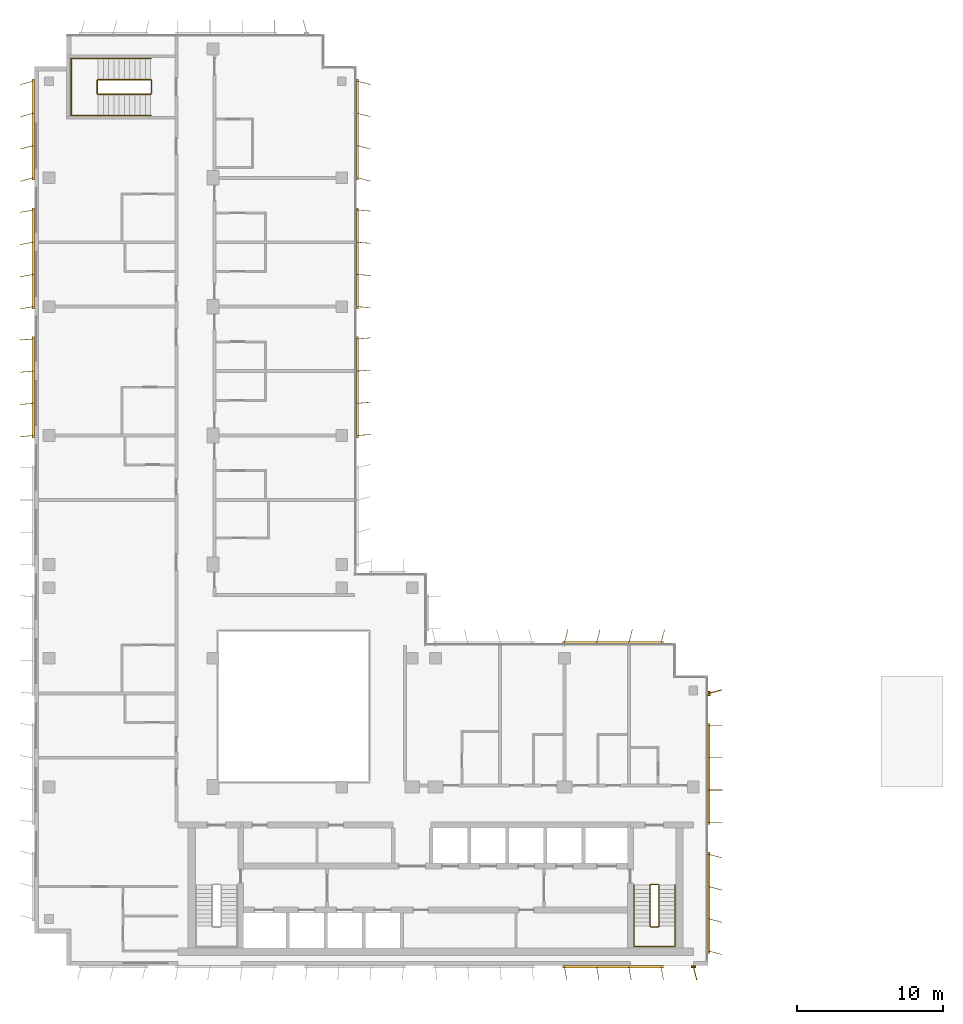
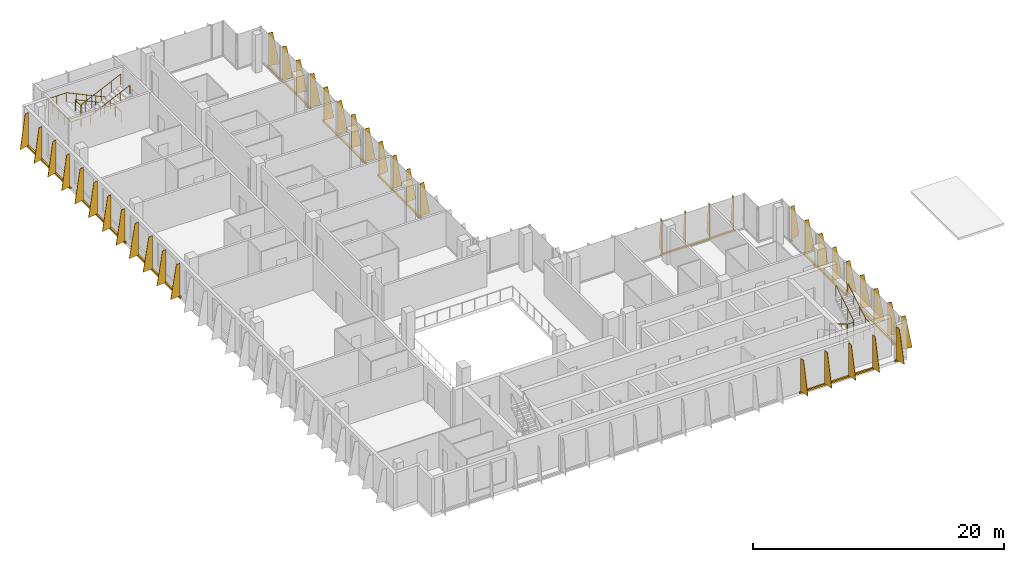
# One storey, part 16 of 17: 12 shading devices, 4 railings.
"""IFC4 building model written with IfcOpenShell, lengths in metres."""

from ifc_helpers import new_model, si_unit, direction, frame, origin, origin_2d, place, context, subcontext, project, spatial, polyline, rectangle, circle, outline, extrude, source, transform, mapped, material, layer, layer_set, type_object, element, save


model = new_model("IFC4")

# Units and contexts
model_context = context("Model", 3, precision=1e-05, world=origin(), true_north=direction((0.0, 1.0)))
body_context = subcontext(model_context, "Body", "Model", "MODEL_VIEW")
ifc_project = project(units=[si_unit("LENGTHUNIT", "METRE"), si_unit("AREAUNIT", "SQUARE_METRE"), si_unit("VOLUMEUNIT", "CUBIC_METRE"), si_unit("PLANEANGLEUNIT", "RADIAN"), si_unit("MASSUNIT", "GRAM", prefix="KILO")], contexts=[model_context])

# Site, building, storey
site_placement = place(None, origin())
site = spatial("IfcSite", under=ifc_project, at=site_placement, CompositionType="ELEMENT")
building_placement = place(site_placement, origin())
building = spatial("IfcBuilding", under=site, at=building_placement, Name="Kemantara Hotel Tower", CompositionType="ELEMENT")
storey_placement = place(building_placement, frame((0.0, 0.0, 226.5)))
storey = spatial("IfcBuildingStorey", under=building, at=storey_placement, Name="L56", CompositionType="ELEMENT", Elevation=226.5)

# Railings
ifc_material_1 = material(Name="Stainless steel balustrade", Category="steel")
railing_type_1 = type_object("IfcRailingType", Name="Stair guard 1100 mm", PredefinedType="GUARDRAIL", material=ifc_material_1)
railing_1_placement = place(storey_placement, frame((42.64990234375, 5.5, 3.699951171875)))
element("IfcRailing", 1, at=railing_1_placement, inside=storey, type_object=railing_type_1, Name="L56 ST2 stair guard 1", PredefinedType="GUARDRAIL", context=body_context, shape_type="SweptSolid", body=[
    extrude(circle(Radius=0.02392578125, at=origin_2d()), frame((0.0, 0.0, 1.076171875), z_axis=(0.0, -0.857242210791, -0.514913383045), x_axis=(1.0, 0.0, 0.0)), (0.0, 0.0, 1.0), 3.266357421875),
    extrude(circle(Radius=0.02392578125, at=origin_2d()), frame((0.0, -2.800048828125, -0.60595703125), z_axis=(-0.273343290215, -0.274683208305, -0.921863645432), x_axis=(0.708833529934, -0.705375805398, 0.0)), (0.0, 0.0, 1.0), 0.18212890625),
    extrude(circle(Radius=0.02392578125, at=origin_2d()), frame((-0.0498046875, -2.85009765625, -0.77392578125), z_axis=(-1.0, 0.0, 0.0), x_axis=(0.0, -1.0, 0.0)), (0.0, 0.0, 1.0), 0.5),
    extrude(circle(Radius=0.02392578125, at=origin_2d()), frame((-0.5498046875, -2.85009765625, -0.77392578125), z_axis=(-0.707106781187, 0.707106781187, 0.0), x_axis=(-0.707106781187, -0.707106781187, 0.0)), (0.0, 0.0, 1.0), 0.07080078125),
    extrude(circle(Radius=0.02392578125, at=origin_2d()), frame((-0.599853515625, -2.800048828125, -0.77392578125), z_axis=(0.0, 0.857242210791, -0.514913383045), x_axis=(-1.0, 0.0, 0.0)), (0.0, 0.0, 1.0), 3.266357421875),
    extrude(circle(Radius=0.02392578125, at=origin_2d()), frame((-0.599853515625, 0.0, -2.45556640625), z_axis=(0.274243871929, 0.274243871929, -0.92172696468), x_axis=(-0.707106781187, 0.707106781187, 0.0)), (0.0, 0.0, 1.0), 0.1826171875),
    extrude(circle(Radius=0.02392578125, at=origin_2d()), frame((-0.5498046875, 0.050048828125, -2.6240234375), z_axis=(1.0, 0.0, 0.0), x_axis=(0.0, 1.0, 0.0)), (0.0, 0.0, 1.0), 0.5),
    extrude(circle(Radius=0.02099609375, at=origin_2d()), origin(), (0.0, 0.0, 1.0), 1.052001953125),
    extrude(circle(Radius=0.02099609375, at=origin_2d()), frame((0.0, -0.933349609375, -0.560546875)), (0.0, 0.0, 1.0), 1.052001953125),
    extrude(circle(Radius=0.02099609375, at=origin_2d()), frame((0.0, -1.86669921875, -1.121337890625)), (0.0, 0.0, 1.0), 1.052001953125),
    extrude(circle(Radius=0.02099609375, at=origin_2d()), frame((0.0, -2.800048828125, -1.681884765625)), (0.0, 0.0, 1.0), 1.052001953125),
    extrude(circle(Radius=0.02099609375, at=origin_2d()), frame((-0.0498046875, -2.85009765625, -1.849853515625)), (0.0, 0.0, 1.0), 1.052001953125),
    extrude(circle(Radius=0.02099609375, at=origin_2d()), frame((-0.5498046875, -2.85009765625, -1.849853515625)), (0.0, 0.0, 1.0), 1.052001953125),
    extrude(circle(Radius=0.02099609375, at=origin_2d()), frame((-0.599853515625, -2.800048828125, -1.849853515625)), (0.0, 0.0, 1.0), 1.052001953125),
    extrude(circle(Radius=0.02099609375, at=origin_2d()), frame((-0.599853515625, -1.86669921875, -2.410400390625)), (0.0, 0.0, 1.0), 1.052001953125),
    extrude(circle(Radius=0.02099609375, at=origin_2d()), frame((-0.599853515625, -0.933349609375, -2.97119140625)), (0.0, 0.0, 1.0), 1.052001953125),
    extrude(circle(Radius=0.02099609375, at=origin_2d()), frame((-0.599853515625, 0.0, -3.53173828125)), (0.0, 0.0, 1.0), 1.052001953125),
    extrude(circle(Radius=0.02099609375, at=origin_2d()), frame((-0.5498046875, 0.050048828125, -3.699951171875)), (0.0, 0.0, 1.0), 1.052001953125),
    extrude(circle(Radius=0.02099609375, at=origin_2d()), frame((-0.0498046875, 0.050048828125, -3.699951171875)), (0.0, 0.0, 1.0), 1.052001953125),
])
railing_2_placement = place(storey_placement, frame((7.949951171875, 59.5, 3.699951171875)))
element("IfcRailing", 2, at=railing_2_placement, inside=storey, type_object=railing_type_1, Name="L56 ST4 stair guard 1", PredefinedType="GUARDRAIL", context=body_context, shape_type="SweptSolid", body=[
    extrude(circle(Radius=0.02392578125, at=origin_2d()), frame((0.0, 0.0, 1.076171875), z_axis=(-0.905994681025, 0.0, -0.423289071386), x_axis=(0.0, -1.0, 0.0)), (0.0, 0.0, 1.0), 3.973388671875),
    extrude(circle(Radius=0.02392578125, at=origin_2d()), frame((-3.599853515625, 0.0, -0.60595703125), z_axis=(-0.274582412415, 0.274582412415, -0.921525364591), x_axis=(-0.707106781187, -0.707106781187, 0.0)), (0.0, 0.0, 1.0), 0.182373046875),
    extrude(circle(Radius=0.02392578125, at=origin_2d()), frame((-3.64990234375, 0.050048828125, -0.77392578125), z_axis=(0.0, 1.0, 0.0), x_axis=(-1.0, 0.0, 0.0)), (0.0, 0.0, 1.0), 0.89990234375),
    extrude(circle(Radius=0.02392578125, at=origin_2d()), frame((-3.64990234375, 0.949951171875, -0.77392578125), z_axis=(0.707106781187, 0.707106781187, 0.0), x_axis=(-0.707106781187, 0.707106781187, 0.0)), (0.0, 0.0, 1.0), 0.07080078125),
    extrude(circle(Radius=0.02392578125, at=origin_2d()), frame((-3.599853515625, 1.0, -0.77392578125), z_axis=(0.905994681025, 0.0, -0.423289071386), x_axis=(0.0, 1.0, 0.0)), (0.0, 0.0, 1.0), 3.973388671875),
    extrude(circle(Radius=0.02392578125, at=origin_2d()), frame((0.0, 1.0, -2.45556640625), z_axis=(0.274243871929, -0.274243871929, -0.92172696468), x_axis=(0.707106781187, 0.707106781187, 0.0)), (0.0, 0.0, 1.0), 0.1826171875),
    extrude(circle(Radius=0.02392578125, at=origin_2d()), frame((0.050048828125, 0.949951171875, -2.6240234375), z_axis=(0.0, -1.0, 0.0), x_axis=(1.0, 0.0, 0.0)), (0.0, 0.0, 1.0), 0.89990234375),
    extrude(circle(Radius=0.02099609375, at=origin_2d()), origin(), (0.0, 0.0, 1.0), 1.052001953125),
    extrude(circle(Radius=0.02099609375, at=origin_2d()), frame((-0.89990234375, 0.0, -0.42041015625)), (0.0, 0.0, 1.0), 1.052001953125),
    extrude(circle(Radius=0.02099609375, at=origin_2d()), frame((-1.7998046875, 0.0, -0.8408203125)), (0.0, 0.0, 1.0), 1.052001953125),
    extrude(circle(Radius=0.02099609375, at=origin_2d()), frame((-2.699951171875, 0.0, -1.261474609375)), (0.0, 0.0, 1.0), 1.052001953125),
    extrude(circle(Radius=0.02099609375, at=origin_2d()), frame((-3.599853515625, 0.0, -1.681884765625)), (0.0, 0.0, 1.0), 1.052001953125),
    extrude(circle(Radius=0.02099609375, at=origin_2d()), frame((-3.64990234375, 0.050048828125, -1.849853515625)), (0.0, 0.0, 1.0), 1.052001953125),
    extrude(circle(Radius=0.02099609375, at=origin_2d()), frame((-3.64990234375, 0.949951171875, -1.849853515625)), (0.0, 0.0, 1.0), 1.052001953125),
    extrude(circle(Radius=0.02099609375, at=origin_2d()), frame((-3.599853515625, 1.0, -1.849853515625)), (0.0, 0.0, 1.0), 1.052001953125),
    extrude(circle(Radius=0.02099609375, at=origin_2d()), frame((-2.699951171875, 1.0, -2.270263671875)), (0.0, 0.0, 1.0), 1.052001953125),
    extrude(circle(Radius=0.02099609375, at=origin_2d()), frame((-1.7998046875, 1.0, -2.69091796875)), (0.0, 0.0, 1.0), 1.052001953125),
    extrude(circle(Radius=0.02099609375, at=origin_2d()), frame((-0.89990234375, 1.0, -3.111328125)), (0.0, 0.0, 1.0), 1.052001953125),
    extrude(circle(Radius=0.02099609375, at=origin_2d()), frame((0.0, 1.0, -3.53173828125)), (0.0, 0.0, 1.0), 1.052001953125),
    extrude(circle(Radius=0.02099609375, at=origin_2d()), frame((0.050048828125, 0.949951171875, -3.699951171875)), (0.0, 0.0, 1.0), 1.052001953125),
    extrude(circle(Radius=0.02099609375, at=origin_2d()), frame((0.050048828125, 0.050048828125, -3.699951171875)), (0.0, 0.0, 1.0), 1.052001953125),
])
railing_type_2 = type_object("IfcRailingType", Name="Stair handrail 900 mm", PredefinedType="HANDRAIL", material=ifc_material_1)
railing_3_placement = place(storey_placement, frame((40.949951171875, 5.5, 0.168212890625)))
element("IfcRailing", 3, at=railing_3_placement, inside=storey, type_object=railing_type_2, Name="L56 ST2 stair handrail 1", PredefinedType="HANDRAIL", context=body_context, shape_type="SweptSolid", body=[
    extrude(circle(Radius=0.02392578125, at=origin_2d()), frame((0.0, 0.0, 0.8759765625), z_axis=(0.0, -0.857242210791, 0.514913383045), x_axis=(1.0, 0.0, 0.0)), (0.0, 0.0, 1.0), 3.266357421875),
    extrude(circle(Radius=0.02392578125, at=origin_2d()), frame((0.0, -2.800048828125, 2.5576171875), z_axis=(0.0, -1.0, 0.0), x_axis=(1.0, 0.0, 0.0)), (0.0, 0.0, 1.0), 1.3798828125),
    extrude(circle(Radius=0.02392578125, at=origin_2d()), frame((0.0, -4.179931640625, 2.5576171875), z_axis=(0.998205573864, 0.0, 0.059880149518), x_axis=(0.0, 1.0, 0.0)), (0.0, 0.0, 1.0), 2.80517578125),
    extrude(circle(Radius=0.02392578125, at=origin_2d()), frame((2.800048828125, -4.179931640625, 2.7255859375), z_axis=(0.0, 1.0, 0.0), x_axis=(-1.0, 0.0, 0.0)), (0.0, 0.0, 1.0), 1.3798828125),
    extrude(circle(Radius=0.02392578125, at=origin_2d()), frame((2.800048828125, -2.800048828125, 2.7255859375), z_axis=(0.0, 0.857242210791, 0.514913383045), x_axis=(-1.0, 0.0, 0.0)), (0.0, 0.0, 1.0), 3.266357421875),
    extrude(circle(Radius=0.02099609375, at=origin_2d()), origin(), (0.0, 0.0, 1.0), 0.851806640625),
    extrude(circle(Radius=0.02099609375, at=origin_2d()), frame((0.0, -0.933349609375, 0.560546875)), (0.0, 0.0, 1.0), 0.851806640625),
    extrude(circle(Radius=0.02099609375, at=origin_2d()), frame((0.0, -1.86669921875, 1.121337890625)), (0.0, 0.0, 1.0), 0.851806640625),
    extrude(circle(Radius=0.02099609375, at=origin_2d()), frame((0.0, -2.800048828125, 1.681884765625)), (0.0, 0.0, 1.0), 0.851806640625),
    extrude(circle(Radius=0.02099609375, at=origin_2d()), frame((0.0, -3.489990234375, 1.681884765625)), (0.0, 0.0, 1.0), 0.851806640625),
    extrude(circle(Radius=0.02099609375, at=origin_2d()), frame((0.0, -4.179931640625, 1.681884765625)), (0.0, 0.0, 1.0), 0.851806640625),
    extrude(circle(Radius=0.02099609375, at=origin_2d()), frame((0.933349609375, -4.179931640625, 1.73779296875)), (0.0, 0.0, 1.0), 0.851806640625),
    extrude(circle(Radius=0.02099609375, at=origin_2d()), frame((1.86669921875, -4.179931640625, 1.7939453125)), (0.0, 0.0, 1.0), 0.851806640625),
    extrude(circle(Radius=0.02099609375, at=origin_2d()), frame((2.800048828125, -4.179931640625, 1.849853515625)), (0.0, 0.0, 1.0), 0.851806640625),
    extrude(circle(Radius=0.02099609375, at=origin_2d()), frame((2.800048828125, -3.489990234375, 1.849853515625)), (0.0, 0.0, 1.0), 0.851806640625),
    extrude(circle(Radius=0.02099609375, at=origin_2d()), frame((2.800048828125, -2.800048828125, 1.849853515625)), (0.0, 0.0, 1.0), 0.851806640625),
    extrude(circle(Radius=0.02099609375, at=origin_2d()), frame((2.800048828125, -1.86669921875, 2.410400390625)), (0.0, 0.0, 1.0), 0.851806640625),
    extrude(circle(Radius=0.02099609375, at=origin_2d()), frame((2.800048828125, -0.933349609375, 2.97119140625)), (0.0, 0.0, 1.0), 0.851806640625),
    extrude(circle(Radius=0.02099609375, at=origin_2d()), frame((2.800048828125, 0.0, 3.53173828125)), (0.0, 0.0, 1.0), 0.851806640625),
])
railing_4_placement = place(storey_placement, frame((7.949951171875, 61.949951171875, 0.168212890625)))
element("IfcRailing", 4, at=railing_4_placement, inside=storey, type_object=railing_type_2, Name="L56 ST4 stair handrail 1", PredefinedType="HANDRAIL", context=body_context, shape_type="SweptSolid", body=[
    extrude(circle(Radius=0.02392578125, at=origin_2d()), frame((0.0, 0.0, 0.8759765625), z_axis=(-0.905994681025, 0.0, 0.423289071386), x_axis=(0.0, -1.0, 0.0)), (0.0, 0.0, 1.0), 3.973388671875),
    extrude(circle(Radius=0.02392578125, at=origin_2d()), frame((-3.599853515625, 0.0, 2.5576171875), z_axis=(-1.0, 0.0, 0.0), x_axis=(0.0, -1.0, 0.0)), (0.0, 0.0, 1.0), 1.830078125),
    extrude(circle(Radius=0.02392578125, at=origin_2d()), frame((-5.429931640625, 0.0, 2.5576171875), z_axis=(0.0, -0.999073776461, 0.043030096294), x_axis=(1.0, 0.0, 0.0)), (0.0, 0.0, 1.0), 3.903564453125),
    extrude(circle(Radius=0.02392578125, at=origin_2d()), frame((-5.429931640625, -3.89990234375, 2.7255859375), z_axis=(1.0, 0.0, 0.0), x_axis=(0.0, 1.0, 0.0)), (0.0, 0.0, 1.0), 1.830078125),
    extrude(circle(Radius=0.02392578125, at=origin_2d()), frame((-3.599853515625, -3.89990234375, 2.7255859375), z_axis=(0.905994681025, 0.0, 0.423289071386), x_axis=(0.0, 1.0, 0.0)), (0.0, 0.0, 1.0), 3.973388671875),
    extrude(circle(Radius=0.02099609375, at=origin_2d()), origin(), (0.0, 0.0, 1.0), 0.851806640625),
    extrude(circle(Radius=0.02099609375, at=origin_2d()), frame((-0.89990234375, 0.0, 0.42041015625)), (0.0, 0.0, 1.0), 0.851806640625),
    extrude(circle(Radius=0.02099609375, at=origin_2d()), frame((-1.7998046875, 0.0, 0.8408203125)), (0.0, 0.0, 1.0), 0.851806640625),
    extrude(circle(Radius=0.02099609375, at=origin_2d()), frame((-2.699951171875, 0.0, 1.261474609375)), (0.0, 0.0, 1.0), 0.851806640625),
    extrude(circle(Radius=0.02099609375, at=origin_2d()), frame((-3.599853515625, 0.0, 1.681884765625)), (0.0, 0.0, 1.0), 0.851806640625),
    extrude(circle(Radius=0.02099609375, at=origin_2d()), frame((-4.514892578125, 0.0, 1.681884765625)), (0.0, 0.0, 1.0), 0.851806640625),
    extrude(circle(Radius=0.02099609375, at=origin_2d()), frame((-5.429931640625, 0.0, 1.681884765625)), (0.0, 0.0, 1.0), 0.851806640625),
    extrude(circle(Radius=0.02099609375, at=origin_2d()), frame((-5.429931640625, -0.97509765625, 1.723876953125)), (0.0, 0.0, 1.0), 0.851806640625),
    extrude(circle(Radius=0.02099609375, at=origin_2d()), frame((-5.429931640625, -1.949951171875, 1.765869140625)), (0.0, 0.0, 1.0), 0.851806640625),
    extrude(circle(Radius=0.02099609375, at=origin_2d()), frame((-5.429931640625, -2.9248046875, 1.807861328125)), (0.0, 0.0, 1.0), 0.851806640625),
    extrude(circle(Radius=0.02099609375, at=origin_2d()), frame((-5.429931640625, -3.89990234375, 1.849853515625)), (0.0, 0.0, 1.0), 0.851806640625),
    extrude(circle(Radius=0.02099609375, at=origin_2d()), frame((-4.514892578125, -3.89990234375, 1.849853515625)), (0.0, 0.0, 1.0), 0.851806640625),
    extrude(circle(Radius=0.02099609375, at=origin_2d()), frame((-3.599853515625, -3.89990234375, 1.849853515625)), (0.0, 0.0, 1.0), 0.851806640625),
    extrude(circle(Radius=0.02099609375, at=origin_2d()), frame((-2.699951171875, -3.89990234375, 2.270263671875)), (0.0, 0.0, 1.0), 0.851806640625),
    extrude(circle(Radius=0.02099609375, at=origin_2d()), frame((-1.7998046875, -3.89990234375, 2.69091796875)), (0.0, 0.0, 1.0), 0.851806640625),
    extrude(circle(Radius=0.02099609375, at=origin_2d()), frame((-0.89990234375, -3.89990234375, 3.111328125)), (0.0, 0.0, 1.0), 0.851806640625),
    extrude(circle(Radius=0.02099609375, at=origin_2d()), frame((0.0, -3.89990234375, 3.53173828125)), (0.0, 0.0, 1.0), 0.851806640625),
])

# Shading devices
ifc_material_2 = material(Name="Perforated aluminium plate 4 mm bronze anodised", Category="aluminium")
ifc_layer_1 = layer(ifc_material_2, 0.0400390625)
ifc_layer_set_1 = layer_set([ifc_layer_1], Name="Perforated aluminium plate 4 mm bronze anodised")
shading_device_type_1 = type_object("IfcShadingDeviceType", Name="SCREEN FIN CASSETTE, 4 BLADES AT -5.0 DEG, 3200 HIGH", PredefinedType="USERDEFINED", material=ifc_layer_set_1)
shared_shape_1 = source(origin(), body_context, "Body", "SweptSolid", [
    extrude(rectangle(XDim=6.89990234375, YDim=0.14990234375, at=origin_2d()), frame((3.300048828125, -0.074951171875, -0.14990234375), z_axis=(0.0, 0.0, 1.0), x_axis=(1.0, 0.0, 0.0)), (0.0, 0.0, 1.0), 0.14990234375),
    extrude(outline(polyline([(0.0, 0.0), (0.89990234375, 0.0), (0.35009765625, 3.199951171875), (0.0, 3.199951171875), (0.0, 0.0)])), frame((0.02001953125, -0.07666015625, 0.0), z_axis=(-0.996376129781, 0.085056498884, 0.0), x_axis=(-0.085056498884, -0.996376129781, 0.0)), (0.0, 0.0, 1.0), 0.040283203125),
    extrude(outline(polyline([(0.0, 0.0), (0.89990234375, 0.0), (0.35009765625, 3.199951171875), (0.0, 3.199951171875), (0.0, 0.0)])), frame((2.219970703125, -0.07666015625, 0.0), z_axis=(-0.996331773833, 0.085574508182, 0.0), x_axis=(-0.085574508182, -0.996331773833, 0.0)), (0.0, 0.0, 1.0), 0.0400390625),
    extrude(outline(polyline([(0.0, 0.0), (0.89990234375, 0.0), (0.35009765625, 3.199951171875), (0.0, 3.199951171875), (0.0, 0.0)])), frame((4.419921875, -0.07666015625, 0.0), z_axis=(-0.996331773833, 0.085574508182, 0.0), x_axis=(-0.085574508182, -0.996331773833, 0.0)), (0.0, 0.0, 1.0), 0.0400390625),
    extrude(outline(polyline([(0.0, 0.0), (0.89990234375, 0.0), (0.35009765625, 3.199951171875), (0.0, 3.199951171875), (0.0, 0.0)])), frame((6.619873046875, -0.07666015625, 0.0), z_axis=(-0.996331773833, 0.085574508182, 0.0), x_axis=(-0.085574508182, -0.996331773833, 0.0)), (0.0, 0.0, 1.0), 0.0400390625),
])
shading_device_1_placement = place(storey_placement, frame((22.0, 45.0, 0.10009765625), z_axis=(0.0, 0.0, 1.0), x_axis=(0.0, 1.0, 0.0)))
element("IfcShadingDevice", 5, at=shading_device_1_placement, inside=storey, type_object=shading_device_type_1, Name="SCREEN FIN CASSETTE L56 T4-R15-3", ObjectType="SCREEN FIN", PredefinedType="USERDEFINED", context=body_context, shape_type="MappedRepresentation", body=[
    mapped(shared_shape_1, transform((0.0, 0.0, 0.0))),
])
ifc_layer_2 = layer(ifc_material_2, 0.0400390625)
ifc_layer_set_2 = layer_set([ifc_layer_2], Name="Perforated aluminium plate 4 mm bronze anodised")
shading_device_type_2 = type_object("IfcShadingDeviceType", Name="SCREEN FIN CASSETTE, 4 BLADES AT +0.0 DEG, 3200 HIGH", PredefinedType="USERDEFINED", material=ifc_layer_set_2)
shared_shape_2 = source(origin(), body_context, "Body", "SweptSolid", [
    extrude(rectangle(XDim=6.89990234375, YDim=0.14990234375, at=origin_2d()), frame((3.300048828125, -0.074951171875, -0.14990234375), z_axis=(0.0, 0.0, 1.0), x_axis=(1.0, 0.0, 0.0)), (0.0, 0.0, 1.0), 0.14990234375),
    extrude(outline(polyline([(0.0, 0.0), (0.89990234375, 0.0), (0.35009765625, 3.199951171875), (0.0, 3.199951171875), (0.0, 0.0)])), frame((0.02001953125, -0.074951171875, 0.0), z_axis=(-1.0, 0.0, 0.0), x_axis=(0.0, -1.0, 0.0)), (0.0, 0.0, 1.0), 0.0400390625),
    extrude(outline(polyline([(0.0, 0.0), (0.89990234375, 0.0), (0.35009765625, 3.199951171875), (0.0, 3.199951171875), (0.0, 0.0)])), frame((2.219970703125, -0.074951171875, 0.0), z_axis=(-1.0, 0.0, 0.0), x_axis=(0.0, -1.0, 0.0)), (0.0, 0.0, 1.0), 0.0400390625),
    extrude(outline(polyline([(0.0, 0.0), (0.89990234375, 0.0), (0.35009765625, 3.199951171875), (0.0, 3.199951171875), (0.0, 0.0)])), frame((4.419921875, -0.074951171875, 0.0), z_axis=(-1.0, 0.0, 0.0), x_axis=(0.0, -1.0, 0.0)), (0.0, 0.0, 1.0), 0.0400390625),
    extrude(outline(polyline([(0.0, 0.0), (0.89990234375, 0.0), (0.35009765625, 3.199951171875), (0.0, 3.199951171875), (0.0, 0.0)])), frame((6.6201171875, -0.074951171875, 0.0), z_axis=(-1.0, 0.0, 0.0), x_axis=(0.0, -1.0, 0.0)), (0.0, 0.0, 1.0), 0.0400390625),
])
shading_device_2_placement = place(storey_placement, frame((46.0, 9.800048828125, 0.10009765625), z_axis=(0.0, 0.0, 1.0), x_axis=(0.0, 1.0, 0.0)))
element("IfcShadingDevice", 6, at=shading_device_2_placement, inside=storey, type_object=shading_device_type_2, Name="SCREEN FIN CASSETTE L56 T4-R09-2", ObjectType="SCREEN FIN", PredefinedType="USERDEFINED", context=body_context, shape_type="MappedRepresentation", body=[
    mapped(shared_shape_2, transform((0.0, 0.0, 0.0))),
])
ifc_layer_3 = layer(ifc_material_2, 0.0400390625)
ifc_layer_set_3 = layer_set([ifc_layer_3], Name="Perforated aluminium plate 4 mm bronze anodised")
shading_device_type_3 = type_object("IfcShadingDeviceType", Name="SCREEN FIN CASSETTE, 4 BLADES AT +5.0 DEG, 3200 HIGH", PredefinedType="USERDEFINED", material=ifc_layer_set_3)
shared_shape_3 = source(origin(), body_context, "Body", "SweptSolid", [
    extrude(rectangle(XDim=6.89990234375, YDim=0.14990234375, at=origin_2d()), frame((3.300048828125, -0.074951171875, -0.14990234375), z_axis=(0.0, 0.0, 1.0), x_axis=(1.0, 0.0, 0.0)), (0.0, 0.0, 1.0), 0.14990234375),
    extrude(outline(polyline([(0.0, 0.0), (0.89990234375, 0.0), (0.35009765625, 3.199951171875), (0.0, 3.199951171875), (0.0, 0.0)])), frame((0.02001953125, -0.0732421875, 0.0), z_axis=(-0.996376129781, -0.085056498884, 0.0), x_axis=(0.085056498884, -0.996376129781, 0.0)), (0.0, 0.0, 1.0), 0.040283203125),
    extrude(outline(polyline([(0.0, 0.0), (0.89990234375, 0.0), (0.35009765625, 3.199951171875), (0.0, 3.199951171875), (0.0, 0.0)])), frame((2.219970703125, -0.0732421875, 0.0), z_axis=(-0.996331773833, -0.085574508182, 0.0), x_axis=(0.085574508182, -0.996331773833, 0.0)), (0.0, 0.0, 1.0), 0.0400390625),
    extrude(outline(polyline([(0.0, 0.0), (0.89990234375, 0.0), (0.35009765625, 3.199951171875), (0.0, 3.199951171875), (0.0, 0.0)])), frame((4.419921875, -0.0732421875, 0.0), z_axis=(-0.996331773833, -0.085574508182, 0.0), x_axis=(0.085574508182, -0.996331773833, 0.0)), (0.0, 0.0, 1.0), 0.0400390625),
    extrude(outline(polyline([(0.0, 0.0), (0.89990234375, 0.0), (0.35009765625, 3.199951171875), (0.0, 3.199951171875), (0.0, 0.0)])), frame((6.619873046875, -0.0732421875, 0.0), z_axis=(-0.996331773833, -0.085574508182, 0.0), x_axis=(0.085574508182, -0.996331773833, 0.0)), (0.0, 0.0, 1.0), 0.0400390625),
])
for number, where, z_axis, x_axis, name in (
    (7, (0.0, 42.800048828125, 0.10009765625), (0.0, 0.0, 1.0), (0.0, -1.0, 0.0), "SCREEN FIN CASSETTE L56 T4-R05-3"),
    (8, (22.0, 36.199951171875, 0.10009765625), (0.0, 0.0, 1.0), (0.0, 1.0, 0.0), "SCREEN FIN CASSETTE L56 T4-R15-2"),
):
    element("IfcShadingDevice", number, at=place(storey_placement, frame(where, z_axis=z_axis, x_axis=x_axis)), inside=storey, type_object=shading_device_type_3, Name=name, ObjectType="SCREEN FIN", PredefinedType="USERDEFINED", context=body_context, shape_type="MappedRepresentation", body=[
        mapped(shared_shape_3, transform((0.0, 0.0, 0.0))),
    ])
ifc_layer_4 = layer(ifc_material_2, 0.0400390625)
ifc_layer_set_4 = layer_set([ifc_layer_4], Name="Perforated aluminium plate 4 mm bronze anodised")
shading_device_type_4 = type_object("IfcShadingDeviceType", Name="SCREEN FIN CASSETTE, 4 BLADES AT +10.0 DEG, 3200 HIGH", PredefinedType="USERDEFINED", material=ifc_layer_set_4)
shared_shape_4 = source(origin(), body_context, "Body", "SweptSolid", [
    extrude(rectangle(XDim=6.89990234375, YDim=0.14990234375, at=origin_2d()), frame((3.300048828125, -0.074951171875, -0.14990234375), z_axis=(0.0, 0.0, 1.0), x_axis=(1.0, 0.0, 0.0)), (0.0, 0.0, 1.0), 0.14990234375),
    extrude(outline(polyline([(0.0, 0.0), (0.89990234375, 0.0), (0.35009765625, 3.199951171875), (0.0, 3.199951171875), (0.0, 0.0)])), frame((0.019775390625, -0.071533203125, 0.0), z_axis=(-0.985389793052, -0.170314285219, 0.0), x_axis=(0.170314285219, -0.985389793052, 0.0)), (0.0, 0.0, 1.0), 0.0400390625),
    extrude(outline(polyline([(0.0, 0.0), (0.89990234375, 0.0), (0.35009765625, 3.199951171875), (0.0, 3.199951171875), (0.0, 0.0)])), frame((2.2197265625, -0.071533203125, 0.0), z_axis=(-0.98521175482, -0.171341174751, 0.0), x_axis=(0.171341174751, -0.98521175482, 0.0)), (0.0, 0.0, 1.0), 0.039794921875),
    extrude(outline(polyline([(0.0, 0.0), (0.89990234375, 0.0), (0.35009765625, 3.199951171875), (0.0, 3.199951171875), (0.0, 0.0)])), frame((4.419677734375, -0.071533203125, 0.0), z_axis=(-0.98521175482, -0.171341174751, 0.0), x_axis=(0.171341174751, -0.98521175482, 0.0)), (0.0, 0.0, 1.0), 0.039794921875),
    extrude(outline(polyline([(0.0, 0.0), (0.89990234375, 0.0), (0.35009765625, 3.199951171875), (0.0, 3.199951171875), (0.0, 0.0)])), frame((6.61962890625, -0.071533203125, 0.0), z_axis=(-0.98521175482, -0.171341174751, 0.0), x_axis=(0.171341174751, -0.98521175482, 0.0)), (0.0, 0.0, 1.0), 0.039794921875),
])
for number, where, z_axis, x_axis, name in (
    (9, (0.0, 51.60009765625, 0.10009765625), (0.0, 0.0, 1.0), (0.0, -1.0, 0.0), "SCREEN FIN CASSETTE L56 T4-R05-2"),
    (10, (36.199951171875, 0.0, 0.10009765625), (0.0, 0.0, 1.0), (1.0, 0.0, 0.0), "SCREEN FIN CASSETTE L56 T4-R08-5"),
):
    element("IfcShadingDevice", number, at=place(storey_placement, frame(where, z_axis=z_axis, x_axis=x_axis)), inside=storey, type_object=shading_device_type_4, Name=name, ObjectType="SCREEN FIN", PredefinedType="USERDEFINED", context=body_context, shape_type="MappedRepresentation", body=[
        mapped(shared_shape_4, transform((0.0, 0.0, 0.0))),
    ])
ifc_layer_5 = layer(ifc_material_2, 0.0400390625)
ifc_layer_set_5 = layer_set([ifc_layer_5], Name="Perforated aluminium plate 4 mm bronze anodised")
shading_device_type_5 = type_object("IfcShadingDeviceType", Name="SCREEN FIN CASSETTE, 4 BLADES AT +15.0 DEG, 3200 HIGH", PredefinedType="USERDEFINED", material=ifc_layer_set_5)
shared_shape_5 = source(origin(), body_context, "Body", "SweptSolid", [
    extrude(rectangle(XDim=6.89990234375, YDim=0.14990234375, at=origin_2d()), frame((3.300048828125, -0.074951171875, -0.14990234375), z_axis=(0.0, 0.0, 1.0), x_axis=(1.0, 0.0, 0.0)), (0.0, 0.0, 1.0), 0.14990234375),
    extrude(outline(polyline([(0.0, 0.0), (0.89990234375, 0.0), (0.35009765625, 3.199951171875), (0.0, 3.199951171875), (0.0, 0.0)])), frame((0.019287109375, -0.06982421875, 0.0), z_axis=(-0.966437683387, -0.256901156343, 0.0), x_axis=(0.256901156343, -0.966437683387, 0.0)), (0.0, 0.0, 1.0), 0.039794921875),
    extrude(outline(polyline([(0.0, 0.0), (0.89990234375, 0.0), (0.35009765625, 3.199951171875), (0.0, 3.199951171875), (0.0, 0.0)])), frame((2.21923828125, -0.06982421875, 0.0), z_axis=(-0.966437683387, -0.256901156343, 0.0), x_axis=(0.256901156343, -0.966437683387, 0.0)), (0.0, 0.0, 1.0), 0.039794921875),
    extrude(outline(polyline([(0.0, 0.0), (0.89990234375, 0.0), (0.35009765625, 3.199951171875), (0.0, 3.199951171875), (0.0, 0.0)])), frame((4.41943359375, -0.06982421875, 0.0), z_axis=(-0.966837822169, -0.255391122837, 0.0), x_axis=(0.255391122837, -0.966837822169, 0.0)), (0.0, 0.0, 1.0), 0.0400390625),
    extrude(outline(polyline([(0.0, 0.0), (0.89990234375, 0.0), (0.35009765625, 3.199951171875), (0.0, 3.199951171875), (0.0, 0.0)])), frame((6.619384765625, -0.06982421875, 0.0), z_axis=(-0.966837822169, -0.255391122837, 0.0), x_axis=(0.255391122837, -0.966837822169, 0.0)), (0.0, 0.0, 1.0), 0.0400390625),
])
shading_device_3_placement = place(storey_placement, frame((0.0, 60.39990234375, 0.10009765625), z_axis=(0.0, 0.0, 1.0), x_axis=(0.0, -1.0, 0.0)))
element("IfcShadingDevice", 11, at=shading_device_3_placement, inside=storey, type_object=shading_device_type_5, Name="SCREEN FIN CASSETTE L56 T4-R05-1", ObjectType="SCREEN FIN", PredefinedType="USERDEFINED", context=body_context, shape_type="MappedRepresentation", body=[
    mapped(shared_shape_5, transform((0.0, 0.0, 0.0))),
])
ifc_layer_6 = layer(ifc_material_2, 0.0400390625)
ifc_layer_set_6 = layer_set([ifc_layer_6], Name="Perforated aluminium plate 4 mm bronze anodised")
shading_device_type_6 = type_object("IfcShadingDeviceType", Name="SCREEN FIN CASSETTE, 4 BLADES AT -15.0 DEG, 3200 HIGH", PredefinedType="USERDEFINED", material=ifc_layer_set_6)
shared_shape_6 = source(origin(), body_context, "Body", "SweptSolid", [
    extrude(rectangle(XDim=6.89990234375, YDim=0.14990234375, at=origin_2d()), frame((3.300048828125, -0.074951171875, -0.14990234375), z_axis=(0.0, 0.0, 1.0), x_axis=(1.0, 0.0, 0.0)), (0.0, 0.0, 1.0), 0.14990234375),
    extrude(outline(polyline([(0.0, 0.0), (0.89990234375, 0.0), (0.35009765625, 3.199951171875), (0.0, 3.199951171875), (0.0, 0.0)])), frame((0.019287109375, -0.080078125, 0.0), z_axis=(-0.966437683387, 0.256901156343, 0.0), x_axis=(-0.256901156343, -0.966437683387, 0.0)), (0.0, 0.0, 1.0), 0.039794921875),
    extrude(outline(polyline([(0.0, 0.0), (0.89990234375, 0.0), (0.35009765625, 3.199951171875), (0.0, 3.199951171875), (0.0, 0.0)])), frame((2.21923828125, -0.080078125, 0.0), z_axis=(-0.966437683387, 0.256901156343, 0.0), x_axis=(-0.256901156343, -0.966437683387, 0.0)), (0.0, 0.0, 1.0), 0.039794921875),
    extrude(outline(polyline([(0.0, 0.0), (0.89990234375, 0.0), (0.35009765625, 3.199951171875), (0.0, 3.199951171875), (0.0, 0.0)])), frame((4.41943359375, -0.080078125, 0.0), z_axis=(-0.966837822169, 0.255391122837, 0.0), x_axis=(-0.255391122837, -0.966837822169, 0.0)), (0.0, 0.0, 1.0), 0.0400390625),
    extrude(outline(polyline([(0.0, 0.0), (0.89990234375, 0.0), (0.35009765625, 3.199951171875), (0.0, 3.199951171875), (0.0, 0.0)])), frame((6.619384765625, -0.080078125, 0.0), z_axis=(-0.966837822169, 0.255391122837, 0.0), x_axis=(-0.255391122837, -0.966837822169, 0.0)), (0.0, 0.0, 1.0), 0.0400390625),
])
for number, where, z_axis, x_axis, name in (
    (12, (46.0, 1.0, 0.10009765625), (0.0, 0.0, 1.0), (0.0, 1.0, 0.0), "SCREEN FIN CASSETTE L56 T4-R09-1"),
    (13, (42.800048828125, 22.0, 0.10009765625), (0.0, 0.0, 1.0), (-1.0, 0.0, 0.0), "SCREEN FIN CASSETTE L56 T4-R12-1"),
    (14, (22.0, 53.800048828125, 0.10009765625), (0.0, 0.0, 1.0), (0.0, 1.0, 0.0), "SCREEN FIN CASSETTE L56 T4-R15-4"),
):
    element("IfcShadingDevice", number, at=place(storey_placement, frame(where, z_axis=z_axis, x_axis=x_axis)), inside=storey, type_object=shading_device_type_6, Name=name, ObjectType="SCREEN FIN", PredefinedType="USERDEFINED", context=body_context, shape_type="MappedRepresentation", body=[
        mapped(shared_shape_6, transform((0.0, 0.0, 0.0))),
    ])
ifc_layer_7 = layer(ifc_material_2, 0.0400390625)
ifc_layer_set_7 = layer_set([ifc_layer_7], Name="Perforated aluminium plate 4 mm bronze anodised")
shading_device_type_7 = type_object("IfcShadingDeviceType", Name="SCREEN FIN CASSETTE, 1 BLADE AT +15.0 DEG, 3200 HIGH", PredefinedType="USERDEFINED", material=ifc_layer_set_7)
shared_shape_7 = source(origin(), body_context, "Body", "SweptSolid", [
    extrude(rectangle(XDim=0.300048828125, YDim=0.14990234375, at=origin_2d()), frame((0.0, -0.074951171875, -0.14990234375), z_axis=(0.0, 0.0, 1.0), x_axis=(1.0, 0.0, 0.0)), (0.0, 0.0, 1.0), 0.14990234375),
    extrude(outline(polyline([(0.0, 0.0), (0.89990234375, 0.0), (0.35009765625, 3.199951171875), (0.0, 3.199951171875), (0.0, 0.0)])), frame((0.019287109375, -0.06982421875, 0.0), z_axis=(-0.966437683387, -0.256901156343, 0.0), x_axis=(0.256901156343, -0.966437683387, 0.0)), (0.0, 0.0, 1.0), 0.039794921875),
])
for number, where, z_axis, x_axis, name in (
    (15, (45.0, 0.0, 0.10009765625), (0.0, 0.0, 1.0), (1.0, 0.0, 0.0), "SCREEN FIN CASSETTE L56 T4-R08-6"),
    (16, (46.0, 18.60009765625, 0.10009765625), (0.0, 0.0, 1.0), (0.0, 1.0, 0.0), "SCREEN FIN CASSETTE L56 T4-R09-3"),
):
    element("IfcShadingDevice", number, at=place(storey_placement, frame(where, z_axis=z_axis, x_axis=x_axis)), inside=storey, type_object=shading_device_type_7, Name=name, ObjectType="SCREEN FIN", PredefinedType="USERDEFINED", context=body_context, shape_type="MappedRepresentation", body=[
        mapped(shared_shape_7, transform((0.0, 0.0, 0.0))),
    ])

save(model, "model.ifc")
